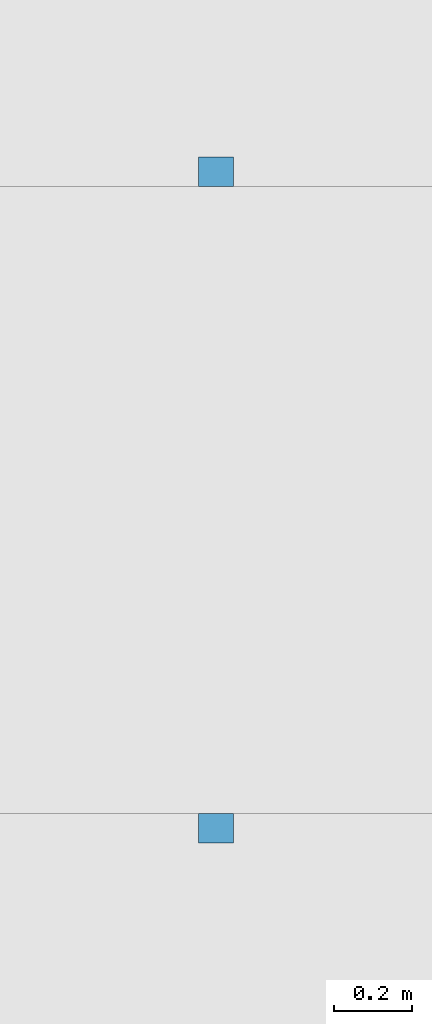
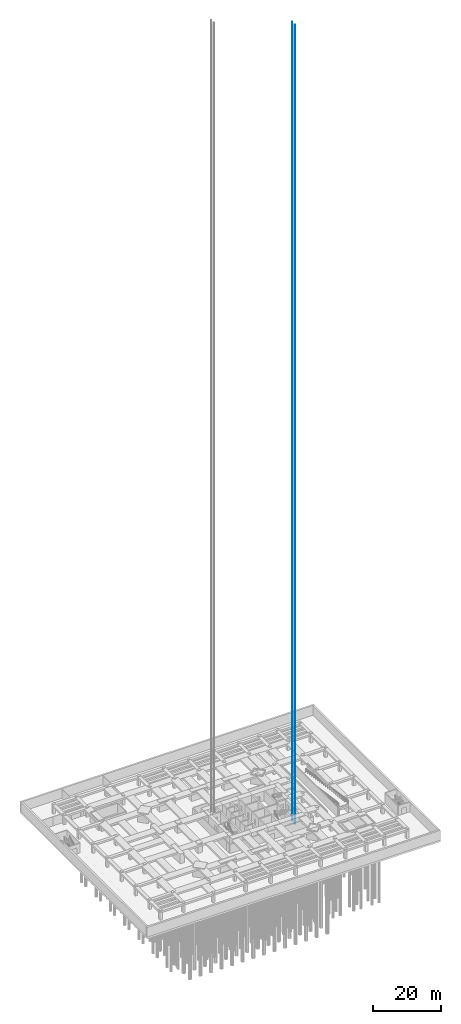
# One storey, part 13 of 15: 1 discrete accessory.
"""IFC4 building model written with IfcOpenShell, lengths in metres."""

from ifc_helpers import new_model, si_unit, direction, frame, origin, origin_2d, place, context, subcontext, project, spatial, rectangle, extrude, material, type_object, element, save


model = new_model("IFC4")

# Units and contexts
model_context = context("Model", 3, precision=1e-05, world=origin(), true_north=direction((0.0, 1.0)))
body_context = subcontext(model_context, "Body", "Model", "MODEL_VIEW")
ifc_project = project(units=[si_unit("LENGTHUNIT", "METRE"), si_unit("AREAUNIT", "SQUARE_METRE"), si_unit("VOLUMEUNIT", "CUBIC_METRE"), si_unit("PLANEANGLEUNIT", "RADIAN"), si_unit("MASSUNIT", "GRAM", prefix="KILO")], contexts=[model_context])

# Site, building, storey
site_placement = place(None, origin())
site = spatial("IfcSite", under=ifc_project, at=site_placement, CompositionType="ELEMENT")
building_placement = place(site_placement, origin())
building = spatial("IfcBuilding", under=site, at=building_placement, Name="Jalousie Tower", CompositionType="ELEMENT")
storey_placement = place(building_placement, frame((0.0, 0.0, -7.5)))
storey = spatial("IfcBuildingStorey", under=building, at=storey_placement, Name="B2", CompositionType="ELEMENT", Elevation=-7.5)

# Discrete accessory
ifc_material = material(Name="Steel ASTM A992 Grade 50", Category="steel")
discrete_accessory_type = type_object("IfcDiscreteAccessoryType", Name="LIFT GUIDE RAIL", PredefinedType="USERDEFINED", material=ifc_material)
discrete_accessory_placement = place(storey_placement, frame((42.0, 12.10009765625, 0.0), z_axis=(0.0, 0.0, 1.0), x_axis=(1.0, 0.0, 0.0)))
element("IfcDiscreteAccessory", 1, at=discrete_accessory_placement, inside=storey, type_object=discrete_accessory_type, Name="Lift F2 guide rails", ObjectType="LIFT GUIDE RAILS", PredefinedType="USERDEFINED", context=body_context, shape_type="SweptSolid", body=[
    extrude(rectangle(XDim=0.09, YDim=0.075, at=origin_2d()), frame((0.0, -0.837646484375, 0.0)), (0.0, 0.0, 1.0), 287.64990234375),
    extrude(rectangle(XDim=0.09, YDim=0.075, at=origin_2d()), frame((0.0, 0.837646484375, 0.0)), (0.0, 0.0, 1.0), 287.64990234375),
])

save(model, "model.ifc")
